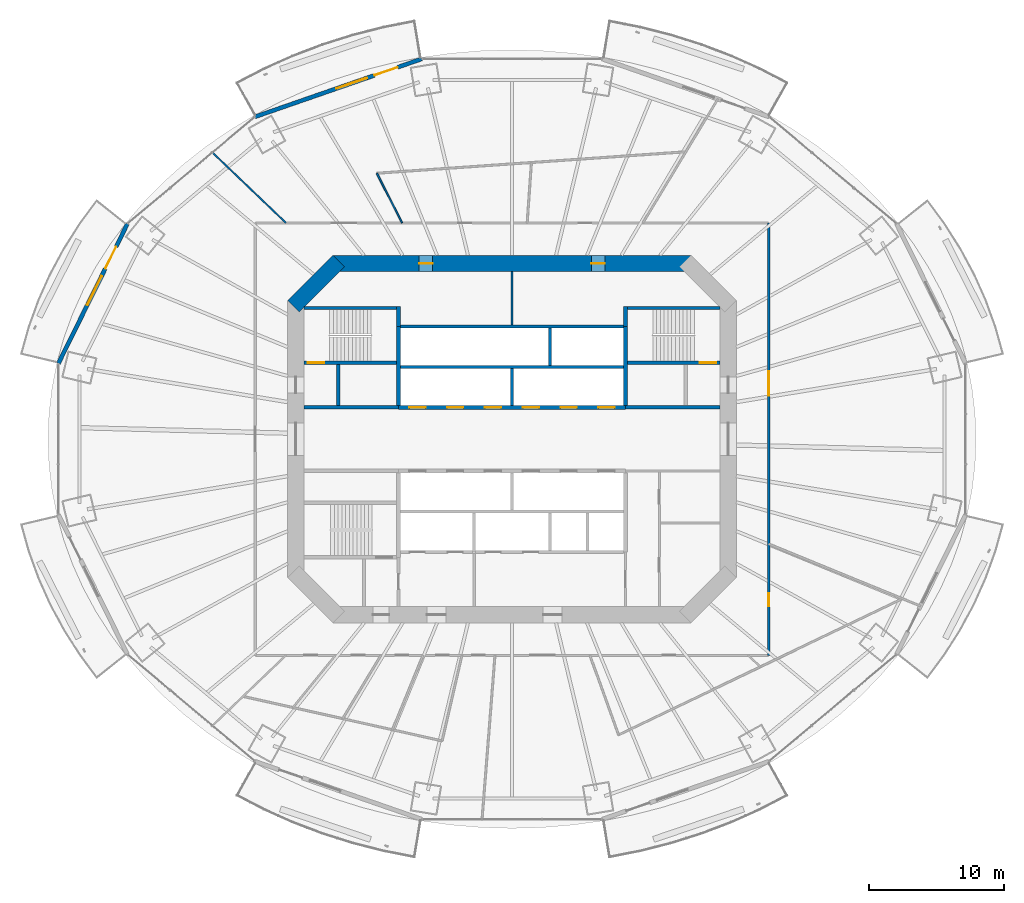
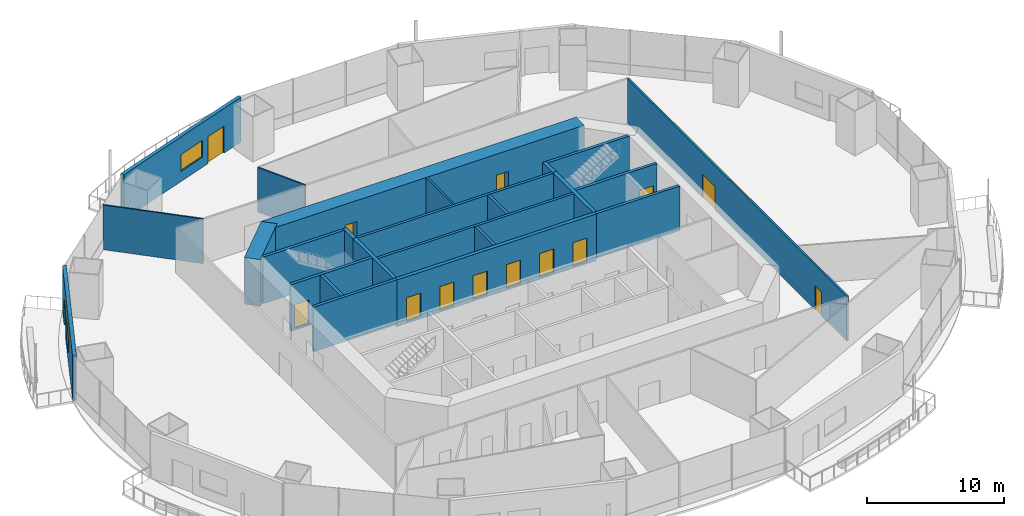
# One storey, part 15 of 22: 24 walls, 14 doors, 2 windows, 16 openings.
"""IFC4 building model written with IfcOpenShell, lengths in metres."""

from ifc_helpers import new_model, si_unit, direction, frame, frame_2d, origin, place, context, subcontext, project, spatial, rectangle, extrude, material, layer, layer_set, type_object, element, fill, save


model = new_model("IFC4")

# Units and contexts
model_context = context("Model", 3, precision=1e-05, world=origin(), true_north=direction((0.0, 1.0)))
body_context = subcontext(model_context, "Body", "Model", "MODEL_VIEW")
ifc_project = project(units=[si_unit("LENGTHUNIT", "METRE"), si_unit("AREAUNIT", "SQUARE_METRE"), si_unit("VOLUMEUNIT", "CUBIC_METRE"), si_unit("PLANEANGLEUNIT", "RADIAN"), si_unit("MASSUNIT", "GRAM", prefix="KILO")], contexts=[model_context])

# Site, building, storey
site_placement = place(None, origin())
site = spatial("IfcSite", under=ifc_project, at=site_placement, CompositionType="ELEMENT")
building_placement = place(site_placement, origin())
building = spatial("IfcBuilding", under=site, at=building_placement, Name="Marenthal Gate Tower", CompositionType="ELEMENT")
storey_placement = place(building_placement, frame((0.0, 0.0, 116.0)))
storey = spatial("IfcBuildingStorey", under=building, at=storey_placement, Name="L24", CompositionType="ELEMENT", Elevation=116.0)

# Wall, openings, doors
ifc_material_1 = material(Name="Concrete 60 MPa", Category="concrete")
ifc_layer_1 = layer(ifc_material_1, 1.199951171875)
ifc_layer_set_1 = layer_set([ifc_layer_1], Name="Core shear wall 1200")
wall_type_1 = type_object("IfcWallType", Name="Core shear wall 1200", PredefinedType="SHEAR", material=ifc_layer_set_1)
wall_1_placement = place(storey_placement, frame((13.24853515625, 13.0, -0.179931640625), z_axis=(0.0, 0.0, 1.0), x_axis=(-1.0, 0.0, 0.0)))
wall_1 = element("IfcWall", 1, at=wall_1_placement, inside=storey, type_object=wall_type_1, Name="Core wall 04", PredefinedType="SHEAR", context=body_context, shape_type="SweptSolid", body=[
    extrude(rectangle(XDim=26.4970703125, YDim=1.199951171875, at=frame_2d((13.24853515625, 0.0))), origin(), (0.0, 0.0, 1.0), 4.14990234375),
])
opening_1_placement = place(wall_1_placement, frame((19.12451171875, 0.0, 0.179931640625)))
opening_1 = element("IfcOpeningElement", 2, at=opening_1_placement, cuts=wall_1, Name="Opening D005.01", PredefinedType="OPENING", context=body_context, shape_type="SweptSolid", body=[
    extrude(rectangle(XDim=1.0, YDim=2.10009765625, at=frame_2d((0.5, 1.050048828125))), frame((0.0, 0.60986328125, 0.0), z_axis=(0.0, -1.0, 0.0), x_axis=(1.0, 0.0, 0.0)), (0.0, 0.0, 1.0), 1.219970703125),
])
opening_2_placement = place(wall_1_placement, frame((6.37255859375, 0.0, 0.179931640625)))
opening_2 = element("IfcOpeningElement", 3, at=opening_2_placement, cuts=wall_1, Name="Opening D005.02", PredefinedType="OPENING", context=body_context, shape_type="SweptSolid", body=[
    extrude(rectangle(XDim=1.0, YDim=2.10009765625, at=frame_2d((0.5, 1.050048828125))), frame((0.0, 0.60986328125, 0.0), z_axis=(0.0, -1.0, 0.0), x_axis=(1.0, 0.0, 0.0)), (0.0, 0.0, 1.0), 1.219970703125),
])
ifc_material_2 = material(Name="Steel fire door", Category="steel")
door_type_1 = type_object("IfcDoorType", Name="Fire door FD 45 1000 x 2100", OperationType="NOTDEFINED", PredefinedType="DOOR", material=ifc_material_2)
door_1_placement = place(opening_1_placement, origin())
door_1 = element("IfcDoor", 4, at=door_1_placement, inside=storey, type_object=door_type_1, Name="Door D005.01", OperationType="SINGLE_SWING_RIGHT", OverallHeight=2.10009765625, OverallWidth=1.0, PredefinedType="DOOR", context=body_context, shape_type="SweptSolid", body=[
    extrude(rectangle(XDim=1.0, YDim=2.10009765625, at=frame_2d((0.5, 1.050048828125))), frame((0.0, 0.02490234375, 0.0), z_axis=(0.0, -1.0, 0.0), x_axis=(1.0, 0.0, 0.0)), (0.0, 0.0, 1.0), 0.050048828125),
])
fill(opening_1, door_1)
door_2_placement = place(opening_2_placement, origin())
door_2 = element("IfcDoor", 5, at=door_2_placement, inside=storey, type_object=door_type_1, Name="Door D005.02", OperationType="SINGLE_SWING_RIGHT", OverallHeight=2.10009765625, OverallWidth=1.0, PredefinedType="DOOR", context=body_context, shape_type="SweptSolid", body=[
    extrude(rectangle(XDim=1.0, YDim=2.10009765625, at=frame_2d((0.5, 1.050048828125))), frame((0.0, 0.02490234375, 0.0), z_axis=(0.0, -1.0, 0.0), x_axis=(1.0, 0.0, 0.0)), (0.0, 0.0, 1.0), 0.050048828125),
])
fill(opening_2, door_2)

# Wall
wall_2_placement = place(storey_placement, frame((-12.82421875, 13.17578125, -0.179931640625), z_axis=(0.0, 0.0, 1.0), x_axis=(-0.707106781187, -0.707106781187, 0.0)))
element("IfcWall", 6, at=wall_2_placement, inside=storey, type_object=wall_type_1, Name="Core wall 05", PredefinedType="SHEAR", context=body_context, shape_type="SweptSolid", body=[
    extrude(rectangle(XDim=4.73974609375, YDim=1.199951171875, at=frame_2d((2.369873046875, 0.0))), origin(), (0.0, 0.0, 1.0), 4.14990234375),
])

# Wall, openings, doors
ifc_material_3 = material(Name="Concrete 50 MPa", Category="concrete")
ifc_layer_2 = layer(ifc_material_3, 0.300048828125)
ifc_layer_set_2 = layer_set([ifc_layer_2], Name="Hoistway shear wall 300")
wall_type_2 = type_object("IfcWallType", Name="Hoistway shear wall 300", PredefinedType="SHEAR", material=ifc_layer_set_2)
wall_3_placement = place(storey_placement, frame((-8.39990234375, 2.35009765625, -0.179931640625), z_axis=(0.0, 0.0, 1.0), x_axis=(1.0, 0.0, 0.0)))
wall_3 = element("IfcWall", 7, at=wall_3_placement, inside=storey, type_object=wall_type_2, Name="Hoistway wall 19", PredefinedType="SHEAR", context=body_context, shape_type="SweptSolid", body=[
    extrude(rectangle(XDim=16.7998046875, YDim=0.300048828125, at=frame_2d((8.39990234375, 0.0))), origin(), (0.0, 0.0, 1.0), 4.14990234375),
])
opening_3_placement = place(wall_3_placement, frame((0.800048828125, 0.0, 0.179931640625)))
opening_3 = element("IfcOpeningElement", 8, at=opening_3_placement, cuts=wall_3, Name="Opening LD-LP1", PredefinedType="OPENING", context=body_context, shape_type="SweptSolid", body=[
    extrude(rectangle(XDim=1.199951171875, YDim=2.10009765625, at=frame_2d((0.60009765625, 1.050048828125))), frame((0.0, 0.16015625, 0.0), z_axis=(0.0, -1.0, 0.0), x_axis=(1.0, 0.0, 0.0)), (0.0, 0.0, 1.0), 0.320068359375),
])
opening_4_placement = place(wall_3_placement, frame((3.60009765625, 0.0, 0.179931640625)))
opening_4 = element("IfcOpeningElement", 9, at=opening_4_placement, cuts=wall_3, Name="Opening LD-LP2", PredefinedType="OPENING", context=body_context, shape_type="SweptSolid", body=[
    extrude(rectangle(XDim=1.199951171875, YDim=2.10009765625, at=frame_2d((0.60009765625, 1.050048828125))), frame((0.0, 0.16015625, 0.0), z_axis=(0.0, -1.0, 0.0), x_axis=(1.0, 0.0, 0.0)), (0.0, 0.0, 1.0), 0.320068359375),
])
opening_5_placement = place(wall_3_placement, frame((6.39990234375, 0.0, 0.179931640625)))
opening_5 = element("IfcOpeningElement", 10, at=opening_5_placement, cuts=wall_3, Name="Opening LD-LP3", PredefinedType="OPENING", context=body_context, shape_type="SweptSolid", body=[
    extrude(rectangle(XDim=1.199951171875, YDim=2.10009765625, at=frame_2d((0.60009765625, 1.050048828125))), frame((0.0, 0.16015625, 0.0), z_axis=(0.0, -1.0, 0.0), x_axis=(1.0, 0.0, 0.0)), (0.0, 0.0, 1.0), 0.320068359375),
])
opening_6_placement = place(wall_3_placement, frame((9.199951171875, 0.0, 0.179931640625)))
opening_6 = element("IfcOpeningElement", 11, at=opening_6_placement, cuts=wall_3, Name="Opening LD-LP4", PredefinedType="OPENING", context=body_context, shape_type="SweptSolid", body=[
    extrude(rectangle(XDim=1.199951171875, YDim=2.10009765625, at=frame_2d((0.60009765625, 1.050048828125))), frame((0.0, 0.16015625, 0.0), z_axis=(0.0, -1.0, 0.0), x_axis=(1.0, 0.0, 0.0)), (0.0, 0.0, 1.0), 0.320068359375),
])
opening_7_placement = place(wall_3_placement, frame((12.0, 0.0, 0.179931640625)))
opening_7 = element("IfcOpeningElement", 12, at=opening_7_placement, cuts=wall_3, Name="Opening LD-LP5", PredefinedType="OPENING", context=body_context, shape_type="SweptSolid", body=[
    extrude(rectangle(XDim=1.199951171875, YDim=2.10009765625, at=frame_2d((0.60009765625, 1.050048828125))), frame((0.0, 0.16015625, 0.0), z_axis=(0.0, -1.0, 0.0), x_axis=(1.0, 0.0, 0.0)), (0.0, 0.0, 1.0), 0.320068359375),
])
opening_8_placement = place(wall_3_placement, frame((14.800048828125, 0.0, 0.179931640625)))
opening_8 = element("IfcOpeningElement", 13, at=opening_8_placement, cuts=wall_3, Name="Opening LD-LP6", PredefinedType="OPENING", context=body_context, shape_type="SweptSolid", body=[
    extrude(rectangle(XDim=1.199951171875, YDim=2.10009765625, at=frame_2d((0.60009765625, 1.050048828125))), frame((0.0, 0.16015625, 0.0), z_axis=(0.0, -1.0, 0.0), x_axis=(1.0, 0.0, 0.0)), (0.0, 0.0, 1.0), 0.320068359375),
])
ifc_material_4 = material(Name="Stainless steel sliding door", Category="steel")
door_type_2 = type_object("IfcDoorType", Name="Lift landing door FD 90 1200 x 2100", OperationType="DOUBLE_DOOR_SLIDING", PredefinedType="DOOR", material=ifc_material_4)
door_3_placement = place(opening_3_placement, origin())
door_3 = element("IfcDoor", 14, at=door_3_placement, inside=storey, type_object=door_type_2, Name="Lift landing door LP1", OperationType="DOUBLE_DOOR_SLIDING", OverallHeight=2.10009765625, OverallWidth=1.199951171875, PredefinedType="DOOR", context=body_context, shape_type="SweptSolid", body=[
    extrude(rectangle(XDim=1.199951171875, YDim=2.10009765625, at=frame_2d((0.60009765625, 1.050048828125))), frame((0.0, 0.02490234375, 0.0), z_axis=(0.0, -1.0, 0.0), x_axis=(1.0, 0.0, 0.0)), (0.0, 0.0, 1.0), 0.050048828125),
])
fill(opening_3, door_3)
door_4_placement = place(opening_4_placement, origin())
door_4 = element("IfcDoor", 15, at=door_4_placement, inside=storey, type_object=door_type_2, Name="Lift landing door LP2", OperationType="DOUBLE_DOOR_SLIDING", OverallHeight=2.10009765625, OverallWidth=1.199951171875, PredefinedType="DOOR", context=body_context, shape_type="SweptSolid", body=[
    extrude(rectangle(XDim=1.199951171875, YDim=2.10009765625, at=frame_2d((0.60009765625, 1.050048828125))), frame((0.0, 0.02490234375, 0.0), z_axis=(0.0, -1.0, 0.0), x_axis=(1.0, 0.0, 0.0)), (0.0, 0.0, 1.0), 0.050048828125),
])
fill(opening_4, door_4)
door_5_placement = place(opening_5_placement, origin())
door_5 = element("IfcDoor", 16, at=door_5_placement, inside=storey, type_object=door_type_2, Name="Lift landing door LP3", OperationType="DOUBLE_DOOR_SLIDING", OverallHeight=2.10009765625, OverallWidth=1.199951171875, PredefinedType="DOOR", context=body_context, shape_type="SweptSolid", body=[
    extrude(rectangle(XDim=1.199951171875, YDim=2.10009765625, at=frame_2d((0.60009765625, 1.050048828125))), frame((0.0, 0.02490234375, 0.0), z_axis=(0.0, -1.0, 0.0), x_axis=(1.0, 0.0, 0.0)), (0.0, 0.0, 1.0), 0.050048828125),
])
fill(opening_5, door_5)
door_6_placement = place(opening_6_placement, origin())
door_6 = element("IfcDoor", 17, at=door_6_placement, inside=storey, type_object=door_type_2, Name="Lift landing door LP4", OperationType="DOUBLE_DOOR_SLIDING", OverallHeight=2.10009765625, OverallWidth=1.199951171875, PredefinedType="DOOR", context=body_context, shape_type="SweptSolid", body=[
    extrude(rectangle(XDim=1.199951171875, YDim=2.10009765625, at=frame_2d((0.60009765625, 1.050048828125))), frame((0.0, 0.02490234375, 0.0), z_axis=(0.0, -1.0, 0.0), x_axis=(1.0, 0.0, 0.0)), (0.0, 0.0, 1.0), 0.050048828125),
])
fill(opening_6, door_6)
door_7_placement = place(opening_7_placement, origin())
door_7 = element("IfcDoor", 18, at=door_7_placement, inside=storey, type_object=door_type_2, Name="Lift landing door LP5", OperationType="DOUBLE_DOOR_SLIDING", OverallHeight=2.10009765625, OverallWidth=1.199951171875, PredefinedType="DOOR", context=body_context, shape_type="SweptSolid", body=[
    extrude(rectangle(XDim=1.199951171875, YDim=2.10009765625, at=frame_2d((0.60009765625, 1.050048828125))), frame((0.0, 0.02490234375, 0.0), z_axis=(0.0, -1.0, 0.0), x_axis=(1.0, 0.0, 0.0)), (0.0, 0.0, 1.0), 0.050048828125),
])
fill(opening_7, door_7)
door_8_placement = place(opening_8_placement, origin())
door_8 = element("IfcDoor", 19, at=door_8_placement, inside=storey, type_object=door_type_2, Name="Lift landing door LP6", OperationType="DOUBLE_DOOR_SLIDING", OverallHeight=2.10009765625, OverallWidth=1.199951171875, PredefinedType="DOOR", context=body_context, shape_type="SweptSolid", body=[
    extrude(rectangle(XDim=1.199951171875, YDim=2.10009765625, at=frame_2d((0.60009765625, 1.050048828125))), frame((0.0, 0.02490234375, 0.0), z_axis=(0.0, -1.0, 0.0), x_axis=(1.0, 0.0, 0.0)), (0.0, 0.0, 1.0), 0.050048828125),
])
fill(opening_8, door_8)

# Walls
for number, where, z_axis, x_axis, name in (
    (20, (-8.39990234375, 2.5, -0.179931640625), (0.0, 0.0, 1.0), (0.0, 1.0, 0.0), "Hoistway wall 31"),
    (21, (8.39990234375, 2.5, -0.179931640625), (0.0, 0.0, 1.0), (0.0, 1.0, 0.0), "Hoistway wall 43"),
):
    element("IfcWall", number, at=place(storey_placement, frame(where, z_axis=z_axis, x_axis=x_axis)), inside=storey, type_object=wall_type_2, Name=name, PredefinedType="SHEAR", context=body_context, shape_type="SweptSolid", body=[
        extrude(rectangle(XDim=5.85009765625, YDim=0.300048828125, at=frame_2d((2.925048828125, 0.0))), origin(), (0.0, 0.0, 1.0), 4.14990234375),
    ])
ifc_material_5 = material(Name="Concrete 40 MPa", Category="concrete")
ifc_layer_3 = layer(ifc_material_5, 0.219970703125)
ifc_layer_set_3 = layer_set([ifc_layer_3], Name="Hoistway wall 220")
wall_type_3 = type_object("IfcWallType", Name="Hoistway wall 220", PredefinedType="STANDARD", material=ifc_layer_set_3)
for number, where, z_axis, x_axis, name in (
    (22, (-8.25, 5.35009765625, 0.0), (0.0, 0.0, 1.0), (1.0, 0.0, 0.0), "Hoistway wall 21"),
    (23, (-8.25, 8.35009765625, 0.0), (0.0, 0.0, 1.0), (1.0, 0.0, 0.0), "Hoistway wall 24"),
):
    element("IfcWall", number, at=place(storey_placement, frame(where, z_axis=z_axis, x_axis=x_axis)), inside=storey, type_object=wall_type_3, Name=name, PredefinedType="STANDARD", context=body_context, shape_type="SweptSolid", body=[
        extrude(rectangle(XDim=16.5, YDim=0.219970703125, at=frame_2d((8.25, 0.0))), origin(), (0.0, 0.0, 1.0), 3.969970703125),
    ])
wall_4_placement = place(storey_placement, frame((0.0, 2.5, 0.0), z_axis=(0.0, 0.0, 1.0), x_axis=(0.0, 1.0, 0.0)))
element("IfcWall", 24, at=wall_4_placement, inside=storey, type_object=wall_type_3, Name="Hoistway wall 36", PredefinedType="STANDARD", context=body_context, shape_type="SweptSolid", body=[
    extrude(rectangle(XDim=2.739990234375, YDim=0.219970703125, at=frame_2d((1.3701171875, 0.0))), origin(), (0.0, 0.0, 1.0), 3.969970703125),
])
wall_5_placement = place(storey_placement, frame((2.800048828125, 5.4599609375, 0.0), z_axis=(0.0, 0.0, 1.0), x_axis=(0.0, 1.0, 0.0)))
element("IfcWall", 25, at=wall_5_placement, inside=storey, type_object=wall_type_3, Name="Hoistway wall 39", PredefinedType="STANDARD", context=body_context, shape_type="SweptSolid", body=[
    extrude(rectangle(XDim=2.780029296875, YDim=0.219970703125, at=frame_2d((1.39013671875, 0.0))), origin(), (0.0, 0.0, 1.0), 3.969970703125),
])
ifc_material_6 = material(Name="Gypsum board on steel studs", Category="steel")
ifc_layer_4 = layer(ifc_material_6, 0.1201171875)
ifc_layer_set_4 = layer_set([ifc_layer_4], Name="Partition 120")
wall_type_4 = type_object("IfcWallType", Name="Partition 120", PredefinedType="PARTITIONING", material=ifc_layer_set_4)
wall_6_placement = place(storey_placement, frame((-16.7255859375, 16.0, 0.0), z_axis=(0.0, 0.0, 1.0), x_axis=(-0.722599633889, 0.691266785767, 0.0)))
element("IfcWall", 26, at=wall_6_placement, inside=storey, type_object=wall_type_4, Name="Partition wall 51", PredefinedType="PARTITIONING", context=body_context, shape_type="SweptSolid", body=[
    extrude(rectangle(XDim=7.53466796875, YDim=0.1201171875, at=frame_2d((3.767333984375, 0.0))), origin(), (0.0, 0.0, 1.0), 3.969970703125),
])
wall_7_placement = place(storey_placement, frame((-10.001220703125, 19.67529296875, 0.0), z_axis=(0.0, 0.0, 1.0), x_axis=(0.45312545454, -0.891446758056, 0.0)))
element("IfcWall", 27, at=wall_7_placement, inside=storey, type_object=wall_type_4, Name="Partition wall 54", PredefinedType="PARTITIONING", context=body_context, shape_type="SweptSolid", body=[
    extrude(rectangle(XDim=4.122802734375, YDim=0.1201171875, at=frame_2d((2.0615234375, 0.0))), origin(), (0.0, 0.0, 1.0), 3.969970703125),
])
ifc_material_7 = material(Name="Gypsum board on steel studs", Category="steel")
ifc_layer_5 = layer(ifc_material_7, 0.14990234375)
ifc_layer_set_5 = layer_set([ifc_layer_5], Name="Partition 150")
wall_type_5 = type_object("IfcWallType", Name="Partition 150", PredefinedType="PARTITIONING", material=ifc_layer_set_5)
wall_8_placement = place(storey_placement, frame((0.0, 8.4599609375, 0.0), z_axis=(0.0, 0.0, 1.0), x_axis=(0.0, 1.0, 0.0)))
element("IfcWall", 28, at=wall_8_placement, inside=storey, type_object=wall_type_5, Name="Partition wall 37", PredefinedType="PARTITIONING", context=body_context, shape_type="SweptSolid", body=[
    extrude(rectangle(XDim=3.93994140625, YDim=0.14990234375, at=frame_2d((1.969970703125, 0.0))), origin(), (0.0, 0.0, 1.0), 3.969970703125),
])

# Wall, openings, doors
wall_9_placement = place(storey_placement, frame((19.0, 16.0, 0.0), z_axis=(0.0, 0.0, 1.0), x_axis=(0.0, -1.0, 0.0)))
wall_9 = element("IfcWall", 29, at=wall_9_placement, inside=storey, type_object=wall_type_5, Name="Partition wall 66", PredefinedType="PARTITIONING", context=body_context, shape_type="SweptSolid", body=[
    extrude(rectangle(XDim=32.0, YDim=0.14990234375, at=frame_2d((16.0, 0.0))), origin(), (0.0, 0.0, 1.0), 3.969970703125),
])
opening_9_placement = place(wall_9_placement, frame((27.406005859375, 0.0, 0.0)))
opening_9 = element("IfcOpeningElement", 30, at=opening_9_placement, cuts=wall_9, Name="Opening D016.09", PredefinedType="OPENING", context=body_context, shape_type="SweptSolid", body=[
    extrude(rectangle(XDim=0.949951171875, YDim=2.10009765625, at=frame_2d((0.47509765625, 1.050048828125))), frame((0.0, 0.0849609375, 0.0), z_axis=(0.0, -1.0, 0.0), x_axis=(1.0, 0.0, 0.0)), (0.0, 0.0, 1.0), 0.169921875),
])
opening_10_placement = place(wall_9_placement, frame((10.98193359375, 0.0, 0.0)))
opening_10 = element("IfcOpeningElement", 31, at=opening_10_placement, cuts=wall_9, Name="Opening D014.04", PredefinedType="OPENING", context=body_context, shape_type="SweptSolid", body=[
    extrude(rectangle(XDim=1.800048828125, YDim=2.10009765625, at=frame_2d((0.89990234375, 1.050048828125))), frame((0.0, 0.0849609375, 0.0), z_axis=(0.0, -1.0, 0.0), x_axis=(1.0, 0.0, 0.0)), (0.0, 0.0, 1.0), 0.169921875),
])
ifc_material_8 = material(Name="Timber door", Category="wood")
door_type_3 = type_object("IfcDoorType", Name="Door 950 x 2100", OperationType="NOTDEFINED", PredefinedType="DOOR", material=ifc_material_8)
door_9_placement = place(opening_9_placement, origin())
door_9 = element("IfcDoor", 32, at=door_9_placement, inside=storey, type_object=door_type_3, Name="Door D016.09", OperationType="SINGLE_SWING_RIGHT", OverallHeight=2.10009765625, OverallWidth=0.949951171875, PredefinedType="DOOR", context=body_context, shape_type="SweptSolid", body=[
    extrude(rectangle(XDim=0.949951171875, YDim=2.10009765625, at=frame_2d((0.47509765625, 1.050048828125))), frame((0.0, 0.02490234375, 0.0), z_axis=(0.0, -1.0, 0.0), x_axis=(1.0, 0.0, 0.0)), (0.0, 0.0, 1.0), 0.050048828125),
])
fill(opening_9, door_9)
ifc_material_9 = material(Name="Timber door", Category="wood")
door_type_4 = type_object("IfcDoorType", Name="Double door 1800 x 2100", OperationType="DOUBLE_DOOR_SINGLE_SWING", PredefinedType="DOOR", material=ifc_material_9)
door_10_placement = place(opening_10_placement, origin())
door_10 = element("IfcDoor", 33, at=door_10_placement, inside=storey, type_object=door_type_4, Name="Door D014.04", OperationType="DOUBLE_DOOR_SINGLE_SWING", OverallHeight=2.10009765625, OverallWidth=1.800048828125, PredefinedType="DOOR", context=body_context, shape_type="SweptSolid", body=[
    extrude(rectangle(XDim=1.800048828125, YDim=2.10009765625, at=frame_2d((0.89990234375, 1.050048828125))), frame((0.0, 0.02490234375, 0.0), z_axis=(0.0, -1.0, 0.0), x_axis=(1.0, 0.0, 0.0)), (0.0, 0.0, 1.0), 0.050048828125),
])
fill(opening_10, door_10)

# Walls
ifc_material_10 = material(Name="Concrete 40 MPa", Category="concrete")
ifc_layer_6 = layer(ifc_material_10, 0.25)
ifc_layer_set_6 = layer_set([ifc_layer_6], Name="Stair enclosure wall 250")
wall_type_6 = type_object("IfcWallType", Name="Stair enclosure wall 250", PredefinedType="STANDARD", material=ifc_layer_set_6)
for number, where, z_axis, x_axis, name in (
    (34, (-15.39990234375, 2.35009765625, 0.0), (0.0, 0.0, 1.0), (1.0, 0.0, 0.0), "Stair wall 18"),
    (35, (8.39990234375, 2.35009765625, 0.0), (0.0, 0.0, 1.0), (1.0, 0.0, 0.0), "Stair wall 20"),
):
    element("IfcWall", number, at=place(storey_placement, frame(where, z_axis=z_axis, x_axis=x_axis)), inside=storey, type_object=wall_type_6, Name=name, PredefinedType="STANDARD", context=body_context, shape_type="SweptSolid", body=[
        extrude(rectangle(XDim=7.0, YDim=0.25, at=frame_2d((3.5, 0.0))), origin(), (0.0, 0.0, 1.0), 3.969970703125),
    ])
wall_10_placement = place(storey_placement, frame((-12.85009765625, 2.47509765625, 0.0), z_axis=(0.0, 0.0, 1.0), x_axis=(0.0, 1.0, 0.0)))
element("IfcWall", 36, at=wall_10_placement, inside=storey, type_object=wall_type_6, Name="Stair wall 27", PredefinedType="STANDARD", context=body_context, shape_type="SweptSolid", body=[
    extrude(rectangle(XDim=3.0498046875, YDim=0.25, at=frame_2d((1.52490234375, 0.0))), origin(), (0.0, 0.0, 1.0), 3.969970703125),
])

# Wall, opening, door
ifc_material_11 = material(Name="Concrete 50 MPa", Category="concrete")
ifc_layer_7 = layer(ifc_material_11, 0.25)
ifc_layer_set_7 = layer_set([ifc_layer_7], Name="Stair shear wall 250")
wall_type_7 = type_object("IfcWallType", Name="Stair shear wall 250", PredefinedType="SHEAR", material=ifc_layer_set_7)
wall_11_placement = place(storey_placement, frame((-15.39990234375, 5.64990234375, -0.179931640625), z_axis=(0.0, 0.0, 1.0), x_axis=(1.0, 0.0, 0.0)))
wall_11 = element("IfcWall", 37, at=wall_11_placement, inside=storey, type_object=wall_type_7, Name="Stair wall 22", PredefinedType="SHEAR", context=body_context, shape_type="SweptSolid", body=[
    extrude(rectangle(XDim=6.849853515625, YDim=0.25, at=frame_2d((3.4248046875, 0.0))), origin(), (0.0, 0.0, 1.0), 4.14990234375),
])
opening_11_placement = place(wall_11_placement, frame((0.300048828125, 0.0, 0.179931640625)))
opening_11 = element("IfcOpeningElement", 38, at=opening_11_placement, cuts=wall_11, Name="Opening D001.01", PredefinedType="OPENING", context=body_context, shape_type="SweptSolid", body=[
    extrude(rectangle(XDim=1.199951171875, YDim=2.10009765625, at=frame_2d((0.60009765625, 1.050048828125))), frame((0.0, 0.135009765625, 0.0), z_axis=(0.0, -1.0, 0.0), x_axis=(1.0, 0.0, 0.0)), (0.0, 0.0, 1.0), 0.27001953125),
])
ifc_material_12 = material(Name="Steel fire door", Category="steel")
door_type_5 = type_object("IfcDoorType", Name="Fire door FD 90 1200 x 2100", OperationType="NOTDEFINED", PredefinedType="DOOR", material=ifc_material_12)
door_11_placement = place(opening_11_placement, origin())
door_11 = element("IfcDoor", 39, at=door_11_placement, inside=storey, type_object=door_type_5, Name="Door D001.01", OperationType="SINGLE_SWING_RIGHT", OverallHeight=2.10009765625, OverallWidth=1.199951171875, PredefinedType="DOOR", context=body_context, shape_type="SweptSolid", body=[
    extrude(rectangle(XDim=1.199951171875, YDim=2.10009765625, at=frame_2d((0.60009765625, 1.050048828125))), frame((0.0, 0.02490234375, 0.0), z_axis=(0.0, -1.0, 0.0), x_axis=(1.0, 0.0, 0.0)), (0.0, 0.0, 1.0), 0.050048828125),
])
fill(opening_11, door_11)

wall_12_placement = place(storey_placement, frame((8.550048828125, 5.64990234375, -0.179931640625), z_axis=(0.0, 0.0, 1.0), x_axis=(1.0, 0.0, 0.0)))
wall_12 = element("IfcWall", 40, at=wall_12_placement, inside=storey, type_object=wall_type_7, Name="Stair wall 23", PredefinedType="SHEAR", context=body_context, shape_type="SweptSolid", body=[
    extrude(rectangle(XDim=6.849853515625, YDim=0.25, at=frame_2d((3.4248046875, 0.0))), origin(), (0.0, 0.0, 1.0), 4.14990234375),
])
opening_12_placement = place(wall_12_placement, frame((5.35009765625, 0.0, 0.179931640625)))
opening_12 = element("IfcOpeningElement", 41, at=opening_12_placement, cuts=wall_12, Name="Opening D001.02", PredefinedType="OPENING", context=body_context, shape_type="SweptSolid", body=[
    extrude(rectangle(XDim=1.199951171875, YDim=2.10009765625, at=frame_2d((0.60009765625, 1.050048828125))), frame((0.0, 0.135009765625, 0.0), z_axis=(0.0, -1.0, 0.0), x_axis=(1.0, 0.0, 0.0)), (0.0, 0.0, 1.0), 0.27001953125),
])
door_12_placement = place(opening_12_placement, origin())
door_12 = element("IfcDoor", 42, at=door_12_placement, inside=storey, type_object=door_type_5, Name="Door D001.02", OperationType="SINGLE_SWING_RIGHT", OverallHeight=2.10009765625, OverallWidth=1.199951171875, PredefinedType="DOOR", context=body_context, shape_type="SweptSolid", body=[
    extrude(rectangle(XDim=1.199951171875, YDim=2.10009765625, at=frame_2d((0.60009765625, 1.050048828125))), frame((0.0, 0.02490234375, 0.0), z_axis=(0.0, -1.0, 0.0), x_axis=(1.0, 0.0, 0.0)), (0.0, 0.0, 1.0), 0.050048828125),
])
fill(opening_12, door_12)

# Walls
for number, where, z_axis, x_axis, name in (
    (43, (-15.39990234375, 9.699951171875, -0.179931640625), (0.0, 0.0, 1.0), (1.0, 0.0, 0.0), "Stair wall 25"),
    (44, (8.550048828125, 9.699951171875, -0.179931640625), (0.0, 0.0, 1.0), (1.0, 0.0, 0.0), "Stair wall 26"),
):
    element("IfcWall", number, at=place(storey_placement, frame(where, z_axis=z_axis, x_axis=x_axis)), inside=storey, type_object=wall_type_7, Name=name, PredefinedType="SHEAR", context=body_context, shape_type="SweptSolid", body=[
        extrude(rectangle(XDim=6.849853515625, YDim=0.25, at=frame_2d((3.4248046875, 0.0))), origin(), (0.0, 0.0, 1.0), 4.14990234375),
    ])
ifc_material_13 = material(Name="Concrete 50 MPa", Category="concrete")
ifc_layer_8 = layer(ifc_material_13, 0.300048828125)
ifc_layer_set_8 = layer_set([ifc_layer_8], Name="Stair shear wall 300")
wall_type_8 = type_object("IfcWallType", Name="Stair shear wall 300", PredefinedType="SHEAR", material=ifc_layer_set_8)
for number, where, z_axis, x_axis, name in (
    (45, (-8.39990234375, 8.35009765625, -0.179931640625), (0.0, 0.0, 1.0), (0.0, 1.0, 0.0), "Stair wall 32"),
    (46, (8.39990234375, 8.35009765625, -0.179931640625), (0.0, 0.0, 1.0), (0.0, 1.0, 0.0), "Stair wall 44"),
):
    element("IfcWall", number, at=place(storey_placement, frame(where, z_axis=z_axis, x_axis=x_axis)), inside=storey, type_object=wall_type_8, Name=name, PredefinedType="SHEAR", context=body_context, shape_type="SweptSolid", body=[
        extrude(rectangle(XDim=1.474853515625, YDim=0.300048828125, at=frame_2d((0.7373046875, 0.0))), origin(), (0.0, 0.0, 1.0), 4.14990234375),
    ])

# Wall, openings, door, window
ifc_material_14 = material(Name="Terracotta cladding on insulated concrete-block backing", Category="masonry")
ifc_layer_9 = layer(ifc_material_14, 0.300048828125)
ifc_layer_set_9 = layer_set([ifc_layer_9], Name="Terracotta facade wall 300")
wall_type_9 = type_object("IfcWallType", Name="Terracotta facade wall 300", PredefinedType="SOLIDWALL", material=ifc_layer_set_9)
wall_13_placement = place(storey_placement, frame((-6.67724609375, 28.13671875, 0.0), z_axis=(0.0, 0.0, 1.0), x_axis=(-0.944684524645, -0.327980409318, 0.0)))
wall_13 = element("IfcWall", 47, at=wall_13_placement, inside=storey, type_object=wall_type_9, Name="Terracotta facade wall L24 bay 5", PredefinedType="SOLIDWALL", context=body_context, shape_type="SweptSolid", body=[
    extrude(rectangle(XDim=13.06005859375, YDim=0.300048828125, at=frame_2d((6.530029296875, 0.0))), origin(), (0.0, 0.0, 1.0), 3.969970703125),
])
opening_13_placement = place(wall_13_placement, frame((1.89990234375, 0.0, 0.0)))
opening_13 = element("IfcOpeningElement", 48, at=opening_13_placement, cuts=wall_13, Name="Opening BD-L24-05", PredefinedType="OPENING", context=body_context, shape_type="SweptSolid", body=[
    extrude(rectangle(XDim=1.800048828125, YDim=2.39990234375, at=frame_2d((0.89990234375, 1.199951171875))), frame((0.0, 0.16015625, 0.0), z_axis=(0.0, -1.0, 0.0), x_axis=(1.0, 0.0, 0.0)), (0.0, 0.0, 1.0), 0.320068359375),
])
opening_14_placement = place(wall_13_placement, frame((4.300048828125, 0.0, 0.89990234375)))
opening_14 = element("IfcOpeningElement", 49, at=opening_14_placement, cuts=wall_13, Name="Opening WN1-L24-05", PredefinedType="OPENING", context=body_context, shape_type="SweptSolid", body=[
    extrude(rectangle(XDim=2.39990234375, YDim=1.5, at=frame_2d((1.199951171875, 0.75))), frame((0.0, 0.16015625, 0.0), z_axis=(0.0, -1.0, 0.0), x_axis=(1.0, 0.0, 0.0)), (0.0, 0.0, 1.0), 0.320068359375),
])
ifc_material_15 = material(Name="Aluminium and glass", Category="aluminium")
door_type_6 = type_object("IfcDoorType", Name="Balcony door 1800x2400", OperationType="DOUBLE_DOOR_SINGLE_SWING", PredefinedType="DOOR", material=ifc_material_15)
door_13_placement = place(opening_13_placement, origin())
door_13 = element("IfcDoor", 50, at=door_13_placement, inside=storey, type_object=door_type_6, Name="Balcony door L24 bay 5", OperationType="SINGLE_SWING_LEFT", OverallHeight=2.39990234375, OverallWidth=1.800048828125, PredefinedType="DOOR", context=body_context, shape_type="SweptSolid", body=[
    extrude(rectangle(XDim=1.800048828125, YDim=2.39990234375, at=frame_2d((0.89990234375, 1.199951171875))), frame((0.0, 0.02490234375, 0.0), z_axis=(0.0, -1.0, 0.0), x_axis=(1.0, 0.0, 0.0)), (0.0, 0.0, 1.0), 0.050048828125),
])
fill(opening_13, door_13)
ifc_material_16 = material(Name="Aluminium and glass", Category="aluminium")
window_type = type_object("IfcWindowType", Name="Window 2400x1500", PartitioningType="TRIPLE_PANEL_VERTICAL", PredefinedType="WINDOW", material=ifc_material_16)
window_1_placement = place(opening_14_placement, origin())
window_1 = element("IfcWindow", 51, at=window_1_placement, inside=storey, type_object=window_type, Name="Window L24 bay 5", OverallHeight=1.5, OverallWidth=2.39990234375, PartitioningType="SINGLE_PANEL", PredefinedType="WINDOW", context=body_context, shape_type="SweptSolid", body=[
    extrude(rectangle(XDim=2.39990234375, YDim=1.5, at=frame_2d((1.199951171875, 0.75))), frame((0.0, 0.030029296875, 0.0), z_axis=(0.0, -1.0, 0.0), x_axis=(1.0, 0.0, 0.0)), (0.0, 0.0, 1.0), 0.06005859375),
])
fill(opening_14, window_1)

wall_14_placement = place(storey_placement, frame((-28.4580078125, 15.938232421875, 0.0), z_axis=(0.0, 0.0, 1.0), x_axis=(-0.443026495864, -0.896508518622, 0.0)))
wall_14 = element("IfcWall", 52, at=wall_14_placement, inside=storey, type_object=wall_type_9, Name="Terracotta facade wall L24 bay 7", PredefinedType="SOLIDWALL", context=body_context, shape_type="SweptSolid", body=[
    extrude(rectangle(XDim=11.53515625, YDim=0.300048828125, at=frame_2d((5.767578125, 0.0))), origin(), (0.0, 0.0, 1.0), 3.969970703125),
])
opening_15_placement = place(wall_14_placement, frame((1.89990234375, 0.0, 0.0)))
opening_15 = element("IfcOpeningElement", 53, at=opening_15_placement, cuts=wall_14, Name="Opening BD-L24-07", PredefinedType="OPENING", context=body_context, shape_type="SweptSolid", body=[
    extrude(rectangle(XDim=1.800048828125, YDim=2.39990234375, at=frame_2d((0.89990234375, 1.199951171875))), frame((0.0, 0.16015625, 0.0), z_axis=(0.0, -1.0, 0.0), x_axis=(1.0, 0.0, 0.0)), (0.0, 0.0, 1.0), 0.320068359375),
])
opening_16_placement = place(wall_14_placement, frame((4.300048828125, 0.0, 0.89990234375)))
opening_16 = element("IfcOpeningElement", 54, at=opening_16_placement, cuts=wall_14, Name="Opening WN1-L24-07", PredefinedType="OPENING", context=body_context, shape_type="SweptSolid", body=[
    extrude(rectangle(XDim=2.39990234375, YDim=1.5, at=frame_2d((1.199951171875, 0.75))), frame((0.0, 0.16015625, 0.0), z_axis=(0.0, -1.0, 0.0), x_axis=(1.0, 0.0, 0.0)), (0.0, 0.0, 1.0), 0.320068359375),
])
door_14_placement = place(opening_15_placement, origin())
door_14 = element("IfcDoor", 55, at=door_14_placement, inside=storey, type_object=door_type_6, Name="Balcony door L24 bay 7", OperationType="SINGLE_SWING_LEFT", OverallHeight=2.39990234375, OverallWidth=1.800048828125, PredefinedType="DOOR", context=body_context, shape_type="SweptSolid", body=[
    extrude(rectangle(XDim=1.800048828125, YDim=2.39990234375, at=frame_2d((0.89990234375, 1.199951171875))), frame((0.0, 0.02490234375, 0.0), z_axis=(0.0, -1.0, 0.0), x_axis=(1.0, 0.0, 0.0)), (0.0, 0.0, 1.0), 0.050048828125),
])
fill(opening_15, door_14)
window_2_placement = place(opening_16_placement, origin())
window_2 = element("IfcWindow", 56, at=window_2_placement, inside=storey, type_object=window_type, Name="Window L24 bay 7", OverallHeight=1.5, OverallWidth=2.39990234375, PartitioningType="SINGLE_PANEL", PredefinedType="WINDOW", context=body_context, shape_type="SweptSolid", body=[
    extrude(rectangle(XDim=2.39990234375, YDim=1.5, at=frame_2d((1.199951171875, 0.75))), frame((0.0, 0.030029296875, 0.0), z_axis=(0.0, -1.0, 0.0), x_axis=(1.0, 0.0, 0.0)), (0.0, 0.0, 1.0), 0.06005859375),
])
fill(opening_16, window_2)

save(model, "model.ifc")
